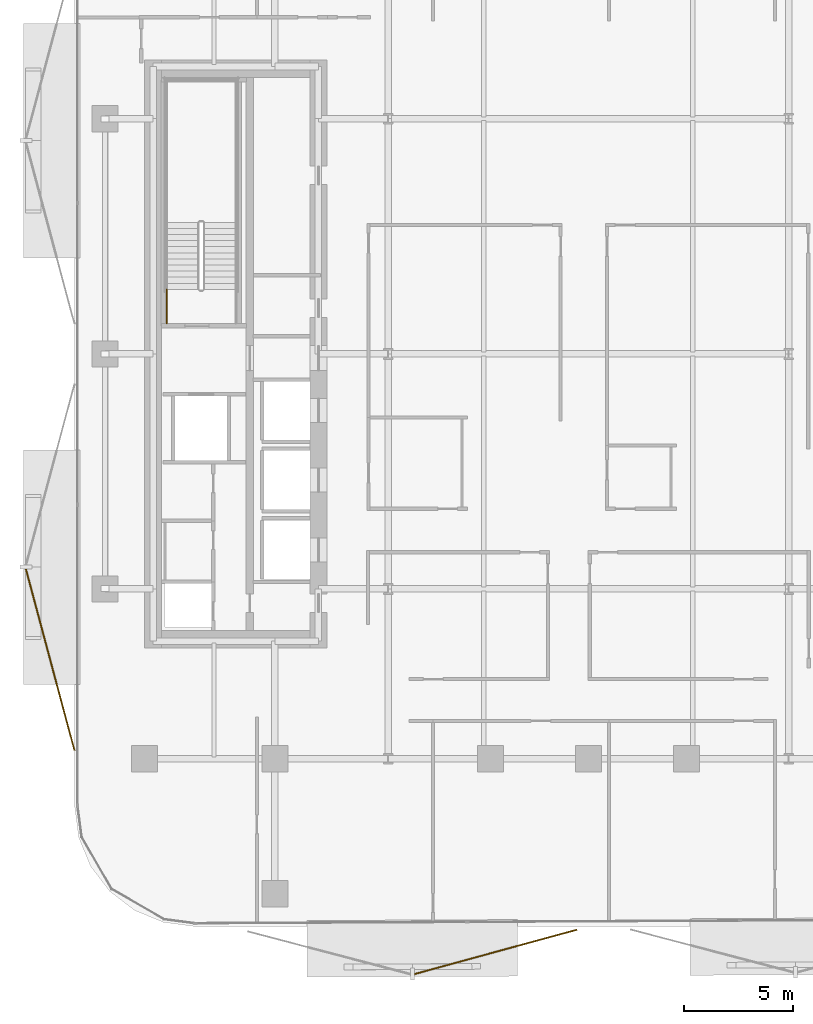
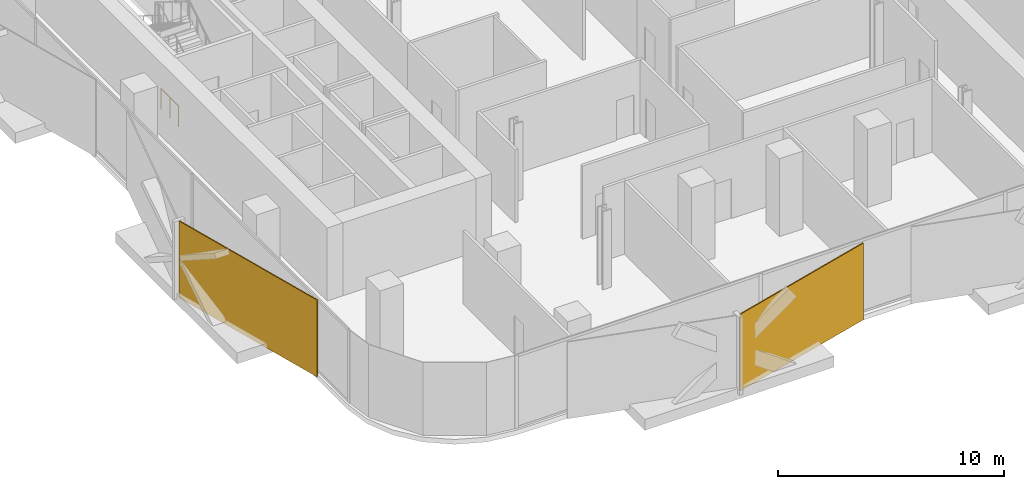
# One storey, part 11 of 15: 2 coverings, 1 railing.
"""IFC4 building model written with IfcOpenShell, lengths in metres."""

from ifc_helpers import new_model, si_unit, direction, frame, origin, origin_2d, place, context, subcontext, project, spatial, rectangle, circle, extrude, material, layer, layer_set, type_object, element, save


model = new_model("IFC4")

# Units and contexts
model_context = context("Model", 3, precision=1e-05, world=origin(), true_north=direction((0.0, 1.0)))
body_context = subcontext(model_context, "Body", "Model", "MODEL_VIEW")
ifc_project = project(units=[si_unit("LENGTHUNIT", "METRE"), si_unit("AREAUNIT", "SQUARE_METRE"), si_unit("VOLUMEUNIT", "CUBIC_METRE"), si_unit("PLANEANGLEUNIT", "RADIAN"), si_unit("MASSUNIT", "GRAM", prefix="KILO")], contexts=[model_context])

# Site, building, storey
site_placement = place(None, origin())
site = spatial("IfcSite", under=ifc_project, at=site_placement, CompositionType="ELEMENT")
building_placement = place(site_placement, origin())
building = spatial("IfcBuilding", under=site, at=building_placement, Name="Khairoan Windgate Tower", CompositionType="ELEMENT")
storey_placement = place(building_placement, frame((0.0, 0.0, 135.199951171875)))
storey = spatial("IfcBuildingStorey", under=building, at=storey_placement, Name="L31", CompositionType="ELEMENT", Elevation=135.199951171875)

# Coverings
ifc_material_1 = material(Name="Anodised Bronze Aluminium 6063-T6", Category="aluminium")
ifc_layer = layer(ifc_material_1, 0.054931640625, Name="Anodised Bronze Aluminium 6063-T6")
ifc_layer_set = layer_set([ifc_layer], Name="Anodised Bronze Aluminium 6063-T6")
covering_type = type_object("IfcCoveringType", Name="Perforated Bronze-Ceramic Folded Solar Screen Cladding BSC-1", PredefinedType="CLADDING", material=ifc_layer_set)
covering_1_placement = place(storey_placement, frame((-4.261962890625, -27.470947265625, -0.10009765625), z_axis=(0.0, 0.0, 1.0), x_axis=(-0.964649468762, -0.263536339841, 0.0)))
element("IfcCovering", 1, at=covering_1_placement, inside=storey, type_object=covering_type, Name="L31 Folded Bronze Solar Screen Facet 194L", PredefinedType="CLADDING", context=body_context, shape_type="SweptSolid", body=[
    extrude(rectangle(XDim=7.739013671875, YDim=0.054931640625, at=origin_2d()), origin(), (0.0, 0.0, 1.0), 4.139892578125),
])
covering_2_placement = place(storey_placement, frame((-24.724609375, -14.048583984375, -0.10009765625), z_axis=(0.0, 0.0, 1.0), x_axis=(-0.258819045103, 0.965925826289, 0.0)))
element("IfcCovering", 2, at=covering_2_placement, inside=storey, type_object=covering_type, Name="L31 Folded Bronze Solar Screen Facet 195L", PredefinedType="CLADDING", context=body_context, shape_type="SweptSolid", body=[
    extrude(rectangle(XDim=8.6201171875, YDim=0.054931640625, at=origin_2d()), origin(), (0.0, 0.0, 1.0), 4.139892578125),
])

# Railing
ifc_material_2 = material(Name="Steel S355", Category="steel")
railing_type = type_object("IfcRailingType", Name="Stairwell Safety Guardrail SGR-1150", PredefinedType="GUARDRAIL", material=ifc_material_2)
railing_placement = place(storey_placement, frame((-19.3701171875, 1.39990234375, 0.0)))
element("IfcRailing", 3, at=railing_placement, inside=storey, type_object=railing_type, Name="L31 ST2 stair guard 9", PredefinedType="GUARDRAIL", context=body_context, shape_type="SweptSolid", body=[
    extrude(circle(Radius=0.02392578125, at=origin_2d()), frame((0.0, 0.0, 1.1259765625), z_axis=(0.0, 1.0, 0.0), x_axis=(-1.0, 0.0, 0.0)), (0.0, 0.0, 1.0), 1.56005859375),
    extrude(circle(Radius=0.02099609375, at=origin_2d()), origin(), (0.0, 0.0, 1.0), 1.101806640625),
    extrude(circle(Radius=0.02099609375, at=origin_2d()), frame((0.0, 0.780029296875, 0.0)), (0.0, 0.0, 1.0), 1.101806640625),
    extrude(circle(Radius=0.02099609375, at=origin_2d()), frame((0.0, 1.56005859375, 0.0)), (0.0, 0.0, 1.0), 1.101806640625),
])

save(model, "model.ifc")
